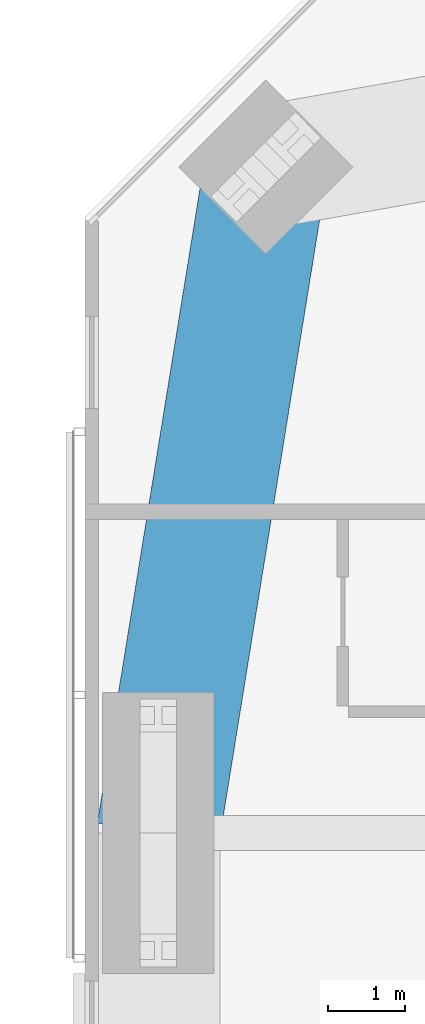
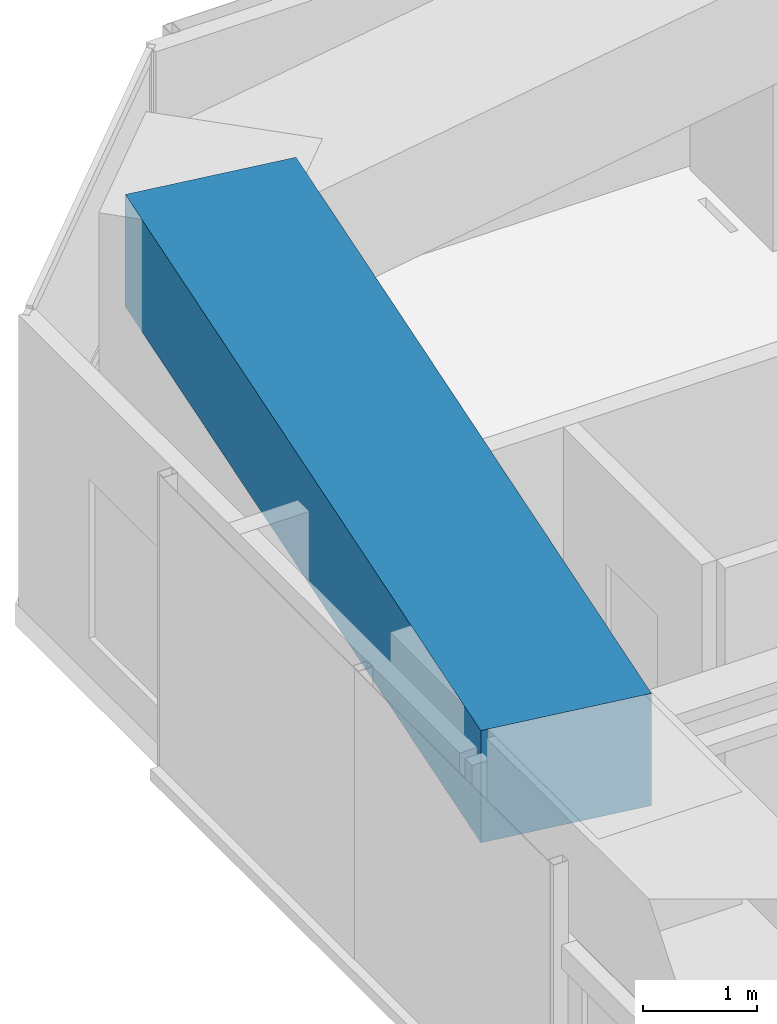
# One storey, part 7 of 23: 1 beam.
"""IFC4 building model written with IfcOpenShell, lengths in metres."""

from ifc_helpers import new_model, si_unit, direction, frame, origin, origin_2d, place, context, subcontext, project, spatial, rectangle, extrude, material, material_profile, profile_set, type_object, element, save


model = new_model("IFC4")

# Units and contexts
model_context = context("Model", 3, precision=1e-05, world=origin(), true_north=direction((0.0, 1.0)))
body_context = subcontext(model_context, "Body", "Model", "MODEL_VIEW")
ifc_project = project(units=[si_unit("LENGTHUNIT", "METRE"), si_unit("AREAUNIT", "SQUARE_METRE"), si_unit("VOLUMEUNIT", "CUBIC_METRE"), si_unit("PLANEANGLEUNIT", "RADIAN"), si_unit("MASSUNIT", "GRAM", prefix="KILO")], contexts=[model_context])

# Site, building, storey
site_placement = place(None, origin())
site = spatial("IfcSite", under=ifc_project, at=site_placement, CompositionType="ELEMENT")
building_placement = place(site_placement, origin())
building = spatial("IfcBuilding", under=site, at=building_placement, Name="Jalousie Tower", CompositionType="ELEMENT")
storey_placement = place(building_placement, frame((0.0, 0.0, 181.14990234375)))
storey = spatial("IfcBuildingStorey", under=building, at=storey_placement, Name="L49", CompositionType="ELEMENT", Elevation=181.14990234375)

# Beam
ifc_material = material(Name="Concrete f'c 40 MPa", Category="concrete")
ifc_material_profile = material_profile(ifc_material, rectangle(XDim=1.60009765625, YDim=1.199951171875, at=origin_2d()), Name="RC 1600x1200")
ifc_profile_set = profile_set([ifc_material_profile], Name="Concrete f'c 40 MPa")
beam_type = type_object("IfcBeamType", Name="RC BEAM 1600x1200", PredefinedType="BEAM", material=ifc_profile_set)
beam_placement = place(storey_placement, frame((14.348388671875, 33.651611328125, 2.75), z_axis=(-0.159567878256, -0.987186959106, 0.0), x_axis=(0.987186959106, -0.159567878256, 0.0)))
element("IfcBeam", 1, at=beam_placement, inside=storey, type_object=beam_type, Name="Edge band beam 12-13 under L50", PredefinedType="BEAM", context=body_context, shape_type="SweptSolid", body=[
    extrude(rectangle(XDim=1.60009765625, YDim=1.199951171875, at=origin_2d()), origin(), (0.0, 0.0, 1.0), 8.763916015625),
])

save(model, "model.ifc")
